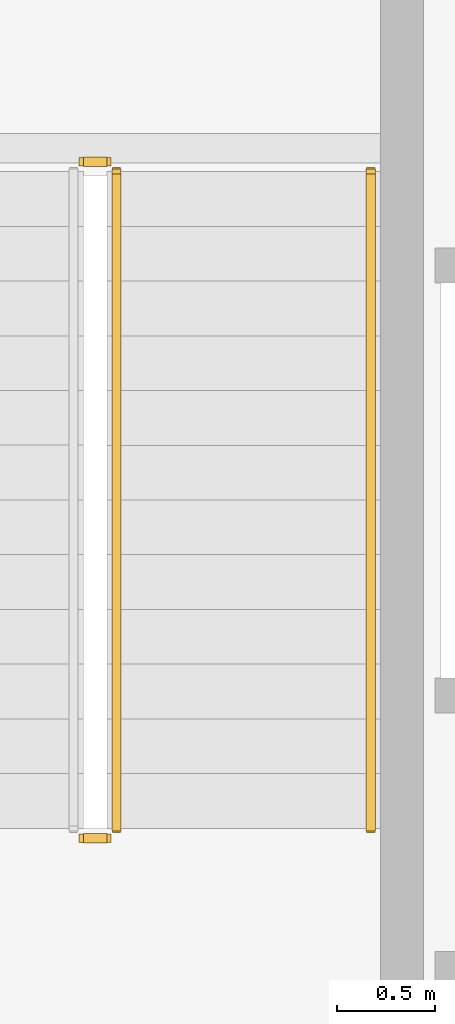
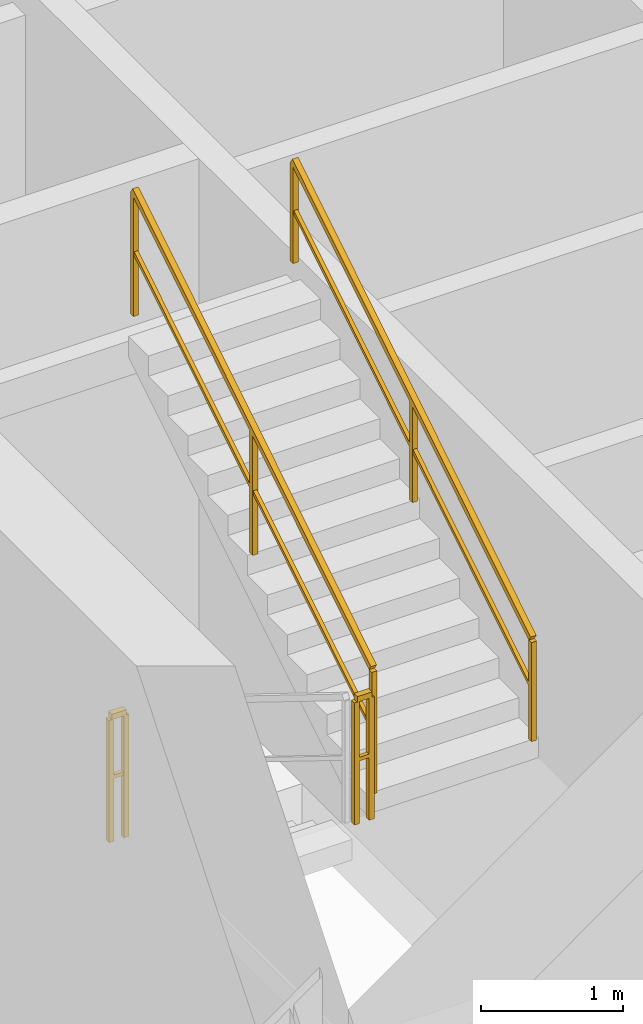
# One storey, part 10 of 13: 4 railings.
"""IFC4 building model written with IfcOpenShell, lengths in metres."""

from ifc_helpers import new_model, si_unit, direction, frame, origin, origin_2d, place, context, subcontext, project, spatial, rectangle, extrude, material, layer, layer_set, type_object, element, save


model = new_model("IFC4")

# Units and contexts
model_context = context("Model", 3, precision=1e-05, world=origin(), true_north=direction((0.0, 1.0)))
body_context = subcontext(model_context, "Body", "Model", "MODEL_VIEW")
ifc_project = project(units=[si_unit("LENGTHUNIT", "METRE"), si_unit("AREAUNIT", "SQUARE_METRE"), si_unit("VOLUMEUNIT", "CUBIC_METRE"), si_unit("PLANEANGLEUNIT", "RADIAN"), si_unit("MASSUNIT", "GRAM", prefix="KILO")], contexts=[model_context])

# Site, building, storey
site_placement = place(None, origin())
site = spatial("IfcSite", under=ifc_project, at=site_placement, CompositionType="ELEMENT")
building_placement = place(site_placement, origin())
building = spatial("IfcBuilding", under=site, at=building_placement, Name="Caelisora Broadcast Tower", CompositionType="ELEMENT")
storey_placement = place(building_placement, frame((0.0, 0.0, 23.10009765625)))
storey = spatial("IfcBuildingStorey", under=building, at=storey_placement, Name="L05", CompositionType="ELEMENT", Elevation=23.10009765625)

# Railings
ifc_material_1 = material(Name="Galvanised Steel Safety Guardrail", Category="steel")
ifc_layer_1 = layer(ifc_material_1, 0.048095703125, Name="Galvanised Steel Safety Guardrail")
ifc_layer_set_1 = layer_set([ifc_layer_1], Name="Galvanised Steel Safety Guardrail")
railing_type_1 = type_object("IfcRailingType", Name="GR-1", PredefinedType="GUARDRAIL", material=ifc_layer_set_1)
railing_1_placement = place(storey_placement, frame((32.219970703125, 19.68994140625, 2.25)))
element("IfcRailing", 1, at=railing_1_placement, inside=storey, type_object=railing_type_1, Name="L05 ST-1 stair guard 2", PredefinedType="GUARDRAIL", context=body_context, shape_type="SweptSolid", body=[
    extrude(rectangle(XDim=0.048095703125, YDim=0.048095703125, at=origin_2d()), frame((0.0, 0.0, 1.076171875), z_axis=(1.0, 0.0, 0.0), x_axis=(0.0, 1.0, 0.0)), (0.0, 0.0, 1.0), 0.1201171875),
    extrude(rectangle(XDim=0.03125, YDim=0.03125, at=origin_2d()), frame((0.0, 0.0, 0.550048828125), z_axis=(1.0, 0.0, 0.0), x_axis=(0.0, 1.0, 0.0)), (0.0, 0.0, 1.0), 0.1201171875),
    extrude(rectangle(XDim=0.0419921875, YDim=0.0419921875, at=origin_2d()), origin(), (0.0, 0.0, 1.0), 1.052001953125),
    extrude(rectangle(XDim=0.0419921875, YDim=0.0419921875, at=origin_2d()), frame((0.1201171875, 0.0, 0.0)), (0.0, 0.0, 1.0), 1.052001953125),
])
railing_2_placement = place(storey_placement, frame((32.389892578125, 19.739990234375, 2.423095703125)))
element("IfcRailing", 2, at=railing_2_placement, inside=storey, type_object=railing_type_1, Name="L05 ST-1 stair guard 3", PredefinedType="GUARDRAIL", context=body_context, shape_type="SweptSolid", body=[
    extrude(rectangle(XDim=0.048095703125, YDim=0.048095703125, at=origin_2d()), frame((0.0, 0.0, 1.076171875), z_axis=(0.0, 0.850623216509, 0.525775754039), x_axis=(-1.0, 0.0, 0.0)), (0.0, 0.0, 1.0), 3.9501953125),
    extrude(rectangle(XDim=0.03125, YDim=0.03125, at=origin_2d()), frame((0.0, 0.0, 0.550048828125), z_axis=(0.0, 0.850623216509, 0.525775754039), x_axis=(-1.0, 0.0, 0.0)), (0.0, 0.0, 1.0), 3.9501953125),
    extrude(rectangle(XDim=0.0419921875, YDim=0.0419921875, at=origin_2d()), origin(), (0.0, 0.0, 1.0), 1.052001953125),
    extrude(rectangle(XDim=0.0419921875, YDim=0.0419921875, at=origin_2d()), frame((0.0, 1.68017578125, 1.03857421875)), (0.0, 0.0, 1.0), 1.052001953125),
    extrude(rectangle(XDim=0.0419921875, YDim=0.0419921875, at=origin_2d()), frame((0.0, 3.360107421875, 2.076904296875)), (0.0, 0.0, 1.0), 1.052001953125),
])
railing_3_placement = place(storey_placement, frame((32.219970703125, 23.14990234375, 0.0)))
element("IfcRailing", 3, at=railing_3_placement, inside=storey, type_object=railing_type_1, Name="L05 ST-1 stair guard 4", PredefinedType="GUARDRAIL", context=body_context, shape_type="SweptSolid", body=[
    extrude(rectangle(XDim=0.048095703125, YDim=0.048095703125, at=origin_2d()), frame((0.0, 0.0, 1.076171875), z_axis=(1.0, 0.0, 0.0), x_axis=(0.0, 1.0, 0.0)), (0.0, 0.0, 1.0), 0.1201171875),
    extrude(rectangle(XDim=0.03125, YDim=0.03125, at=origin_2d()), frame((0.0, 0.0, 0.550048828125), z_axis=(1.0, 0.0, 0.0), x_axis=(0.0, 1.0, 0.0)), (0.0, 0.0, 1.0), 0.1201171875),
    extrude(rectangle(XDim=0.0419921875, YDim=0.0419921875, at=origin_2d()), origin(), (0.0, 0.0, 1.0), 1.052001953125),
    extrude(rectangle(XDim=0.0419921875, YDim=0.0419921875, at=origin_2d()), frame((0.1201171875, 0.0, 0.0)), (0.0, 0.0, 1.0), 1.052001953125),
])
ifc_material_2 = material(Name="Stainless Steel Grade 316 Tubular Handrail", Category="steel")
ifc_layer_2 = layer(ifc_material_2, 0.048095703125, Name="Stainless Steel Grade 316 Tubular Handrail")
ifc_layer_set_2 = layer_set([ifc_layer_2], Name="Stainless Steel Grade 316 Tubular Handrail")
railing_type_2 = type_object("IfcRailingType", Name="HR-1", PredefinedType="HANDRAIL", material=ifc_layer_set_2)
railing_4_placement = place(storey_placement, frame((33.68994140625, 19.739990234375, 2.423095703125)))
element("IfcRailing", 4, at=railing_4_placement, inside=storey, type_object=railing_type_2, Name="L05 ST-1 stair handrail 2", PredefinedType="HANDRAIL", context=body_context, shape_type="SweptSolid", body=[
    extrude(rectangle(XDim=0.048095703125, YDim=0.048095703125, at=origin_2d()), frame((0.0, 0.0, 0.8759765625), z_axis=(0.0, 0.850623216509, 0.525775754039), x_axis=(-1.0, 0.0, 0.0)), (0.0, 0.0, 1.0), 3.9501953125),
    extrude(rectangle(XDim=0.03125, YDim=0.03125, at=origin_2d()), frame((0.0, 0.0, 0.449951171875), z_axis=(0.0, 0.850623216509, 0.525775754039), x_axis=(-1.0, 0.0, 0.0)), (0.0, 0.0, 1.0), 3.9501953125),
    extrude(rectangle(XDim=0.0419921875, YDim=0.0419921875, at=origin_2d()), origin(), (0.0, 0.0, 1.0), 0.851806640625),
    extrude(rectangle(XDim=0.0419921875, YDim=0.0419921875, at=origin_2d()), frame((0.0, 1.68017578125, 1.03857421875)), (0.0, 0.0, 1.0), 0.851806640625),
    extrude(rectangle(XDim=0.0419921875, YDim=0.0419921875, at=origin_2d()), frame((0.0, 3.360107421875, 2.076904296875)), (0.0, 0.0, 1.0), 0.851806640625),
])

save(model, "model.ifc")
